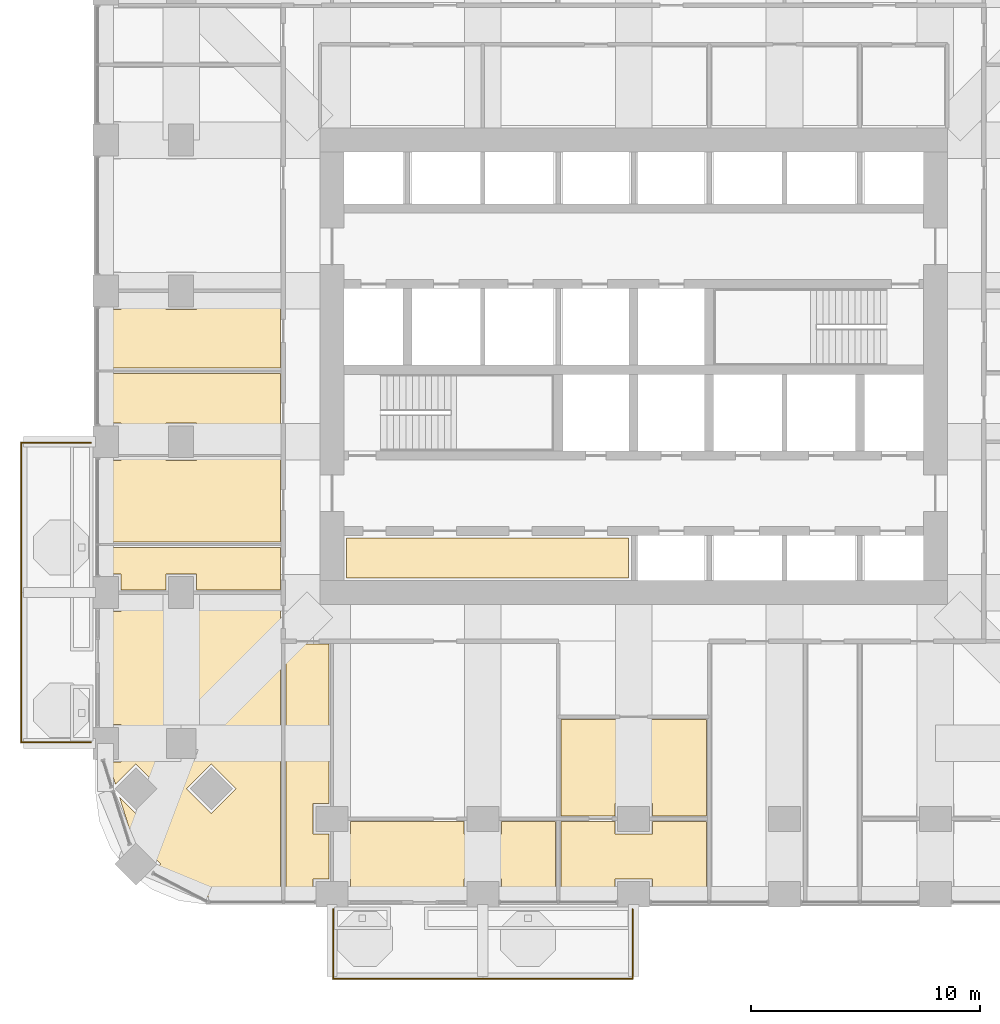
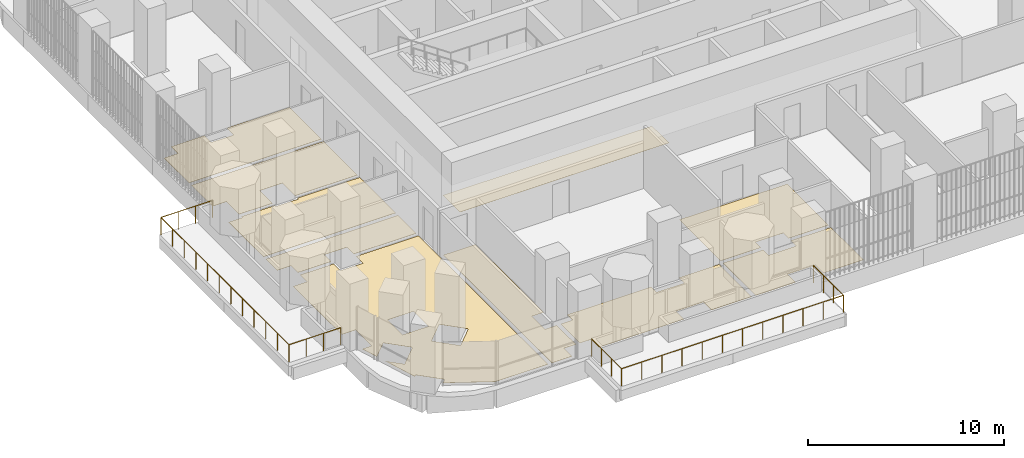
# One storey, part 17 of 21: 10 coverings, 2 railings.
"""IFC4 building model written with IfcOpenShell, lengths in metres."""

from ifc_helpers import new_model, si_unit, direction, frame, origin, place, context, subcontext, project, spatial, polyline, outline, extrude, material, layer, layer_set, type_object, element, save


model = new_model("IFC4")

# Units and contexts
model_context = context("Model", 3, precision=1e-05, world=origin(), true_north=direction((0.0, 1.0)))
body_context = subcontext(model_context, "Body", "Model", "MODEL_VIEW")
ifc_project = project(units=[si_unit("LENGTHUNIT", "METRE"), si_unit("AREAUNIT", "SQUARE_METRE"), si_unit("VOLUMEUNIT", "CUBIC_METRE"), si_unit("PLANEANGLEUNIT", "RADIAN"), si_unit("MASSUNIT", "GRAM", prefix="KILO")], contexts=[model_context])

# Site, building, storey
site_placement = place(None, origin())
site = spatial("IfcSite", under=ifc_project, at=site_placement, CompositionType="ELEMENT")
building_placement = place(site_placement, origin())
building = spatial("IfcBuilding", under=site, at=building_placement, Name="Cobogo Forest Laboratory Tower", CompositionType="ELEMENT")
storey_placement = place(building_placement, frame((0.0, 0.0, 132.60009765625)))
storey = spatial("IfcBuildingStorey", under=building, at=storey_placement, Name="L30", CompositionType="ELEMENT", Elevation=132.60009765625)

# Railings
ifc_material_1 = material(Name="Laminated glass balustrade", Category="glass")
railing_type = type_object("IfcRailingType", Name="BG1 glass balustrade 1100", PredefinedType="GUARDRAIL", material=ifc_material_1)
railing_1_placement = place(storey_placement, frame((13.25, -0.64990234375, 0.0)))
element("IfcRailing", 1, at=railing_1_placement, inside=storey, type_object=railing_type, Name="Balcony balustrade BAL-S1 L30", PredefinedType="GUARDRAIL", context=body_context, shape_type="SweptSolid", body=[
    extrude(outline(polyline([(0.022216796875, 0.00927734375), (0.00927734375, 0.022216796875), (-0.00927734375, 0.022216796875), (-0.022216796875, 0.00927734375), (-0.022216796875, -0.00927734375), (-0.00927734375, -0.022216796875), (0.00927734375, -0.022216796875), (0.022216796875, -0.00927734375), (0.022216796875, 0.00927734375)])), frame((0.0, 0.0, 1.077880859375), z_axis=(0.0, -1.0, 0.0), x_axis=(1.0, 0.0, 0.0)), (0.0, 0.0, 1.0), 3.050048828125),
    extrude(outline(polyline([(0.022216796875, 0.00927734375), (0.00927734375, 0.022216796875), (-0.00927734375, 0.022216796875), (-0.022216796875, 0.00927734375), (-0.022216796875, -0.00927734375), (-0.00927734375, -0.022216796875), (0.00927734375, -0.022216796875), (0.022216796875, -0.00927734375), (0.022216796875, 0.00927734375)])), frame((0.0, -3.050048828125, 1.077880859375), z_axis=(1.0, 0.0, 0.0), x_axis=(0.0, 1.0, 0.0)), (0.0, 0.0, 1.0), 13.10009765625),
    extrude(outline(polyline([(0.022216796875, 0.00927734375), (0.00927734375, 0.022216796875), (-0.00927734375, 0.022216796875), (-0.022216796875, 0.00927734375), (-0.022216796875, -0.00927734375), (-0.00927734375, -0.022216796875), (0.00927734375, -0.022216796875), (0.022216796875, -0.00927734375), (0.022216796875, 0.00927734375)])), frame((13.10009765625, -3.050048828125, 1.077880859375), z_axis=(0.0, 1.0, 0.0), x_axis=(-1.0, 0.0, 0.0)), (0.0, 0.0, 1.0), 3.050048828125),
    extrude(outline(polyline([(0.019287109375, 0.008056640625), (0.008056640625, 0.019287109375), (-0.008056640625, 0.019287109375), (-0.019287109375, 0.008056640625), (-0.019287109375, -0.008056640625), (-0.008056640625, -0.019287109375), (0.008056640625, -0.019287109375), (0.019287109375, -0.008056640625), (0.019287109375, 0.008056640625)])), origin(), (0.0, 0.0, 1.0), 1.077880859375),
    extrude(outline(polyline([(0.019287109375, 0.008056640625), (0.008056640625, 0.019287109375), (-0.008056640625, 0.019287109375), (-0.019287109375, 0.008056640625), (-0.019287109375, -0.008056640625), (-0.008056640625, -0.019287109375), (0.008056640625, -0.019287109375), (0.019287109375, -0.008056640625), (0.019287109375, 0.008056640625)])), frame((0.0, -1.0166015625, 0.0)), (0.0, 0.0, 1.0), 1.077880859375),
    extrude(outline(polyline([(0.019287109375, 0.008056640625), (0.008056640625, 0.019287109375), (-0.008056640625, 0.019287109375), (-0.019287109375, 0.008056640625), (-0.019287109375, -0.008056640625), (-0.008056640625, -0.019287109375), (0.008056640625, -0.019287109375), (0.019287109375, -0.008056640625), (0.019287109375, 0.008056640625)])), frame((0.0, -2.033447265625, 0.0)), (0.0, 0.0, 1.0), 1.077880859375),
    extrude(outline(polyline([(0.019287109375, 0.008056640625), (0.008056640625, 0.019287109375), (-0.008056640625, 0.019287109375), (-0.019287109375, 0.008056640625), (-0.019287109375, -0.008056640625), (-0.008056640625, -0.019287109375), (0.008056640625, -0.019287109375), (0.019287109375, -0.008056640625), (0.019287109375, 0.008056640625)])), frame((0.0, -3.050048828125, 0.0)), (0.0, 0.0, 1.0), 1.077880859375),
    extrude(outline(polyline([(0.019287109375, 0.008056640625), (0.008056640625, 0.019287109375), (-0.008056640625, 0.019287109375), (-0.019287109375, 0.008056640625), (-0.019287109375, -0.008056640625), (-0.008056640625, -0.019287109375), (0.008056640625, -0.019287109375), (0.019287109375, -0.008056640625), (0.019287109375, 0.008056640625)])), frame((1.19091796875, -3.050048828125, 0.0)), (0.0, 0.0, 1.0), 1.077880859375),
    extrude(outline(polyline([(0.019287109375, 0.008056640625), (0.008056640625, 0.019287109375), (-0.008056640625, 0.019287109375), (-0.019287109375, 0.008056640625), (-0.019287109375, -0.008056640625), (-0.008056640625, -0.019287109375), (0.008056640625, -0.019287109375), (0.019287109375, -0.008056640625), (0.019287109375, 0.008056640625)])), frame((2.3818359375, -3.050048828125, 0.0)), (0.0, 0.0, 1.0), 1.077880859375),
    extrude(outline(polyline([(0.019287109375, 0.008056640625), (0.008056640625, 0.019287109375), (-0.008056640625, 0.019287109375), (-0.019287109375, 0.008056640625), (-0.019287109375, -0.008056640625), (-0.008056640625, -0.019287109375), (0.008056640625, -0.019287109375), (0.019287109375, -0.008056640625), (0.019287109375, 0.008056640625)])), frame((3.57275390625, -3.050048828125, 0.0)), (0.0, 0.0, 1.0), 1.077880859375),
    extrude(outline(polyline([(0.019287109375, 0.008056640625), (0.008056640625, 0.019287109375), (-0.008056640625, 0.019287109375), (-0.019287109375, 0.008056640625), (-0.019287109375, -0.008056640625), (-0.008056640625, -0.019287109375), (0.008056640625, -0.019287109375), (0.019287109375, -0.008056640625), (0.019287109375, 0.008056640625)])), frame((4.763671875, -3.050048828125, 0.0)), (0.0, 0.0, 1.0), 1.077880859375),
    extrude(outline(polyline([(0.019287109375, 0.008056640625), (0.008056640625, 0.019287109375), (-0.008056640625, 0.019287109375), (-0.019287109375, 0.008056640625), (-0.019287109375, -0.008056640625), (-0.008056640625, -0.019287109375), (0.008056640625, -0.019287109375), (0.019287109375, -0.008056640625), (0.019287109375, 0.008056640625)])), frame((5.95458984375, -3.050048828125, 0.0)), (0.0, 0.0, 1.0), 1.077880859375),
    extrude(outline(polyline([(0.019287109375, 0.008056640625), (0.008056640625, 0.019287109375), (-0.008056640625, 0.019287109375), (-0.019287109375, 0.008056640625), (-0.019287109375, -0.008056640625), (-0.008056640625, -0.019287109375), (0.008056640625, -0.019287109375), (0.019287109375, -0.008056640625), (0.019287109375, 0.008056640625)])), frame((7.1455078125, -3.050048828125, 0.0)), (0.0, 0.0, 1.0), 1.077880859375),
    extrude(outline(polyline([(0.019287109375, 0.008056640625), (0.008056640625, 0.019287109375), (-0.008056640625, 0.019287109375), (-0.019287109375, 0.008056640625), (-0.019287109375, -0.008056640625), (-0.008056640625, -0.019287109375), (0.008056640625, -0.019287109375), (0.019287109375, -0.008056640625), (0.019287109375, 0.008056640625)])), frame((8.33642578125, -3.050048828125, 0.0)), (0.0, 0.0, 1.0), 1.077880859375),
    extrude(outline(polyline([(0.019287109375, 0.008056640625), (0.008056640625, 0.019287109375), (-0.008056640625, 0.019287109375), (-0.019287109375, 0.008056640625), (-0.019287109375, -0.008056640625), (-0.008056640625, -0.019287109375), (0.008056640625, -0.019287109375), (0.019287109375, -0.008056640625), (0.019287109375, 0.008056640625)])), frame((9.52734375, -3.050048828125, 0.0)), (0.0, 0.0, 1.0), 1.077880859375),
    extrude(outline(polyline([(0.019287109375, 0.008056640625), (0.008056640625, 0.019287109375), (-0.008056640625, 0.019287109375), (-0.019287109375, 0.008056640625), (-0.019287109375, -0.008056640625), (-0.008056640625, -0.019287109375), (0.008056640625, -0.019287109375), (0.019287109375, -0.008056640625), (0.019287109375, 0.008056640625)])), frame((10.71826171875, -3.050048828125, 0.0)), (0.0, 0.0, 1.0), 1.077880859375),
    extrude(outline(polyline([(0.019287109375, 0.008056640625), (0.008056640625, 0.019287109375), (-0.008056640625, 0.019287109375), (-0.019287109375, 0.008056640625), (-0.019287109375, -0.008056640625), (-0.008056640625, -0.019287109375), (0.008056640625, -0.019287109375), (0.019287109375, -0.008056640625), (0.019287109375, 0.008056640625)])), frame((11.9091796875, -3.050048828125, 0.0)), (0.0, 0.0, 1.0), 1.077880859375),
    extrude(outline(polyline([(0.019287109375, 0.008056640625), (0.008056640625, 0.019287109375), (-0.008056640625, 0.019287109375), (-0.019287109375, 0.008056640625), (-0.019287109375, -0.008056640625), (-0.008056640625, -0.019287109375), (0.008056640625, -0.019287109375), (0.019287109375, -0.008056640625), (0.019287109375, 0.008056640625)])), frame((13.10009765625, -3.050048828125, 0.0)), (0.0, 0.0, 1.0), 1.077880859375),
    extrude(outline(polyline([(0.019287109375, 0.008056640625), (0.008056640625, 0.019287109375), (-0.008056640625, 0.019287109375), (-0.019287109375, 0.008056640625), (-0.019287109375, -0.008056640625), (-0.008056640625, -0.019287109375), (0.008056640625, -0.019287109375), (0.019287109375, -0.008056640625), (0.019287109375, 0.008056640625)])), frame((13.10009765625, -2.033447265625, 0.0)), (0.0, 0.0, 1.0), 1.077880859375),
    extrude(outline(polyline([(0.019287109375, 0.008056640625), (0.008056640625, 0.019287109375), (-0.008056640625, 0.019287109375), (-0.019287109375, 0.008056640625), (-0.019287109375, -0.008056640625), (-0.008056640625, -0.019287109375), (0.008056640625, -0.019287109375), (0.019287109375, -0.008056640625), (0.019287109375, 0.008056640625)])), frame((13.10009765625, -1.0166015625, 0.0)), (0.0, 0.0, 1.0), 1.077880859375),
    extrude(outline(polyline([(0.019287109375, 0.008056640625), (0.008056640625, 0.019287109375), (-0.008056640625, 0.019287109375), (-0.019287109375, 0.008056640625), (-0.019287109375, -0.008056640625), (-0.008056640625, -0.019287109375), (0.008056640625, -0.019287109375), (0.019287109375, -0.008056640625), (0.019287109375, 0.008056640625)])), frame((13.10009765625, 0.0, 0.0)), (0.0, 0.0, 1.0), 1.077880859375),
])
railing_2_placement = place(storey_placement, frame((2.64990234375, 6.64990234375, 0.0)))
element("IfcRailing", 2, at=railing_2_placement, inside=storey, type_object=railing_type, Name="Balcony balustrade BAL-W1 L30", PredefinedType="GUARDRAIL", context=body_context, shape_type="SweptSolid", body=[
    extrude(outline(polyline([(0.022216796875, 0.00927734375), (0.00927734375, 0.022216796875), (-0.00927734375, 0.022216796875), (-0.022216796875, 0.00927734375), (-0.022216796875, -0.00927734375), (-0.00927734375, -0.022216796875), (0.00927734375, -0.022216796875), (0.022216796875, -0.00927734375), (0.022216796875, 0.00927734375)])), frame((0.0, 0.0, 1.077880859375), z_axis=(-1.0, 0.0, 0.0), x_axis=(0.0, -1.0, 0.0)), (0.0, 0.0, 1.0), 3.0498046875),
    extrude(outline(polyline([(0.022216796875, 0.00927734375), (0.00927734375, 0.022216796875), (-0.00927734375, 0.022216796875), (-0.022216796875, 0.00927734375), (-0.022216796875, -0.00927734375), (-0.00927734375, -0.022216796875), (0.00927734375, -0.022216796875), (0.022216796875, -0.00927734375), (0.022216796875, 0.00927734375)])), frame((-3.0498046875, 0.0, 1.077880859375), z_axis=(0.0, 1.0, 0.0), x_axis=(-1.0, 0.0, 0.0)), (0.0, 0.0, 1.0), 13.10009765625),
    extrude(outline(polyline([(0.022216796875, 0.00927734375), (0.00927734375, 0.022216796875), (-0.00927734375, 0.022216796875), (-0.022216796875, 0.00927734375), (-0.022216796875, -0.00927734375), (-0.00927734375, -0.022216796875), (0.00927734375, -0.022216796875), (0.022216796875, -0.00927734375), (0.022216796875, 0.00927734375)])), frame((-3.0498046875, 13.10009765625, 1.077880859375), z_axis=(1.0, 0.0, 0.0), x_axis=(0.0, 1.0, 0.0)), (0.0, 0.0, 1.0), 3.0498046875),
    extrude(outline(polyline([(0.019287109375, 0.008056640625), (0.008056640625, 0.019287109375), (-0.008056640625, 0.019287109375), (-0.019287109375, 0.008056640625), (-0.019287109375, -0.008056640625), (-0.008056640625, -0.019287109375), (0.008056640625, -0.019287109375), (0.019287109375, -0.008056640625), (0.019287109375, 0.008056640625)])), origin(), (0.0, 0.0, 1.0), 1.077880859375),
    extrude(outline(polyline([(0.019287109375, 0.008056640625), (0.008056640625, 0.019287109375), (-0.008056640625, 0.019287109375), (-0.019287109375, 0.008056640625), (-0.019287109375, -0.008056640625), (-0.008056640625, -0.019287109375), (0.008056640625, -0.019287109375), (0.019287109375, -0.008056640625), (0.019287109375, 0.008056640625)])), frame((-1.0166015625, 0.0, 0.0)), (0.0, 0.0, 1.0), 1.077880859375),
    extrude(outline(polyline([(0.019287109375, 0.008056640625), (0.008056640625, 0.019287109375), (-0.008056640625, 0.019287109375), (-0.019287109375, 0.008056640625), (-0.019287109375, -0.008056640625), (-0.008056640625, -0.019287109375), (0.008056640625, -0.019287109375), (0.019287109375, -0.008056640625), (0.019287109375, 0.008056640625)])), frame((-2.033203125, 0.0, 0.0)), (0.0, 0.0, 1.0), 1.077880859375),
    extrude(outline(polyline([(0.019287109375, 0.008056640625), (0.008056640625, 0.019287109375), (-0.008056640625, 0.019287109375), (-0.019287109375, 0.008056640625), (-0.019287109375, -0.008056640625), (-0.008056640625, -0.019287109375), (0.008056640625, -0.019287109375), (0.019287109375, -0.008056640625), (0.019287109375, 0.008056640625)])), frame((-3.0498046875, 0.0, 0.0)), (0.0, 0.0, 1.0), 1.077880859375),
    extrude(outline(polyline([(0.019287109375, 0.008056640625), (0.008056640625, 0.019287109375), (-0.008056640625, 0.019287109375), (-0.019287109375, 0.008056640625), (-0.019287109375, -0.008056640625), (-0.008056640625, -0.019287109375), (0.008056640625, -0.019287109375), (0.019287109375, -0.008056640625), (0.019287109375, 0.008056640625)])), frame((-3.0498046875, 1.19091796875, 0.0)), (0.0, 0.0, 1.0), 1.077880859375),
    extrude(outline(polyline([(0.019287109375, 0.008056640625), (0.008056640625, 0.019287109375), (-0.008056640625, 0.019287109375), (-0.019287109375, 0.008056640625), (-0.019287109375, -0.008056640625), (-0.008056640625, -0.019287109375), (0.008056640625, -0.019287109375), (0.019287109375, -0.008056640625), (0.019287109375, 0.008056640625)])), frame((-3.0498046875, 2.3818359375, 0.0)), (0.0, 0.0, 1.0), 1.077880859375),
    extrude(outline(polyline([(0.019287109375, 0.008056640625), (0.008056640625, 0.019287109375), (-0.008056640625, 0.019287109375), (-0.019287109375, 0.008056640625), (-0.019287109375, -0.008056640625), (-0.008056640625, -0.019287109375), (0.008056640625, -0.019287109375), (0.019287109375, -0.008056640625), (0.019287109375, 0.008056640625)])), frame((-3.0498046875, 3.57275390625, 0.0)), (0.0, 0.0, 1.0), 1.077880859375),
    extrude(outline(polyline([(0.019287109375, 0.008056640625), (0.008056640625, 0.019287109375), (-0.008056640625, 0.019287109375), (-0.019287109375, 0.008056640625), (-0.019287109375, -0.008056640625), (-0.008056640625, -0.019287109375), (0.008056640625, -0.019287109375), (0.019287109375, -0.008056640625), (0.019287109375, 0.008056640625)])), frame((-3.0498046875, 4.763671875, 0.0)), (0.0, 0.0, 1.0), 1.077880859375),
    extrude(outline(polyline([(0.019287109375, 0.008056640625), (0.008056640625, 0.019287109375), (-0.008056640625, 0.019287109375), (-0.019287109375, 0.008056640625), (-0.019287109375, -0.008056640625), (-0.008056640625, -0.019287109375), (0.008056640625, -0.019287109375), (0.019287109375, -0.008056640625), (0.019287109375, 0.008056640625)])), frame((-3.0498046875, 5.95458984375, 0.0)), (0.0, 0.0, 1.0), 1.077880859375),
    extrude(outline(polyline([(0.019287109375, 0.008056640625), (0.008056640625, 0.019287109375), (-0.008056640625, 0.019287109375), (-0.019287109375, 0.008056640625), (-0.019287109375, -0.008056640625), (-0.008056640625, -0.019287109375), (0.008056640625, -0.019287109375), (0.019287109375, -0.008056640625), (0.019287109375, 0.008056640625)])), frame((-3.0498046875, 7.1455078125, 0.0)), (0.0, 0.0, 1.0), 1.077880859375),
    extrude(outline(polyline([(0.019287109375, 0.008056640625), (0.008056640625, 0.019287109375), (-0.008056640625, 0.019287109375), (-0.019287109375, 0.008056640625), (-0.019287109375, -0.008056640625), (-0.008056640625, -0.019287109375), (0.008056640625, -0.019287109375), (0.019287109375, -0.008056640625), (0.019287109375, 0.008056640625)])), frame((-3.0498046875, 8.33642578125, 0.0)), (0.0, 0.0, 1.0), 1.077880859375),
    extrude(outline(polyline([(0.019287109375, 0.008056640625), (0.008056640625, 0.019287109375), (-0.008056640625, 0.019287109375), (-0.019287109375, 0.008056640625), (-0.019287109375, -0.008056640625), (-0.008056640625, -0.019287109375), (0.008056640625, -0.019287109375), (0.019287109375, -0.008056640625), (0.019287109375, 0.008056640625)])), frame((-3.0498046875, 9.52734375, 0.0)), (0.0, 0.0, 1.0), 1.077880859375),
    extrude(outline(polyline([(0.019287109375, 0.008056640625), (0.008056640625, 0.019287109375), (-0.008056640625, 0.019287109375), (-0.019287109375, 0.008056640625), (-0.019287109375, -0.008056640625), (-0.008056640625, -0.019287109375), (0.008056640625, -0.019287109375), (0.019287109375, -0.008056640625), (0.019287109375, 0.008056640625)])), frame((-3.0498046875, 10.71826171875, 0.0)), (0.0, 0.0, 1.0), 1.077880859375),
    extrude(outline(polyline([(0.019287109375, 0.008056640625), (0.008056640625, 0.019287109375), (-0.008056640625, 0.019287109375), (-0.019287109375, 0.008056640625), (-0.019287109375, -0.008056640625), (-0.008056640625, -0.019287109375), (0.008056640625, -0.019287109375), (0.019287109375, -0.008056640625), (0.019287109375, 0.008056640625)])), frame((-3.0498046875, 11.9091796875, 0.0)), (0.0, 0.0, 1.0), 1.077880859375),
    extrude(outline(polyline([(0.019287109375, 0.008056640625), (0.008056640625, 0.019287109375), (-0.008056640625, 0.019287109375), (-0.019287109375, 0.008056640625), (-0.019287109375, -0.008056640625), (-0.008056640625, -0.019287109375), (0.008056640625, -0.019287109375), (0.019287109375, -0.008056640625), (0.019287109375, 0.008056640625)])), frame((-3.0498046875, 13.10009765625, 0.0)), (0.0, 0.0, 1.0), 1.077880859375),
    extrude(outline(polyline([(0.019287109375, 0.008056640625), (0.008056640625, 0.019287109375), (-0.008056640625, 0.019287109375), (-0.019287109375, 0.008056640625), (-0.019287109375, -0.008056640625), (-0.008056640625, -0.019287109375), (0.008056640625, -0.019287109375), (0.019287109375, -0.008056640625), (0.019287109375, 0.008056640625)])), frame((-2.033203125, 13.10009765625, 0.0)), (0.0, 0.0, 1.0), 1.077880859375),
    extrude(outline(polyline([(0.019287109375, 0.008056640625), (0.008056640625, 0.019287109375), (-0.008056640625, 0.019287109375), (-0.019287109375, 0.008056640625), (-0.019287109375, -0.008056640625), (-0.008056640625, -0.019287109375), (0.008056640625, -0.019287109375), (0.019287109375, -0.008056640625), (0.019287109375, 0.008056640625)])), frame((-1.0166015625, 13.10009765625, 0.0)), (0.0, 0.0, 1.0), 1.077880859375),
    extrude(outline(polyline([(0.019287109375, 0.008056640625), (0.008056640625, 0.019287109375), (-0.008056640625, 0.019287109375), (-0.019287109375, 0.008056640625), (-0.019287109375, -0.008056640625), (-0.008056640625, -0.019287109375), (0.008056640625, -0.019287109375), (0.019287109375, -0.008056640625), (0.019287109375, 0.008056640625)])), frame((0.0, 13.10009765625, 0.0)), (0.0, 0.0, 1.0), 1.077880859375),
])

# Coverings
ifc_material_2 = material(Name="Carpet tile on raised access floor", Category="flooring")
ifc_layer_1 = layer(ifc_material_2, 0.008056640625)
ifc_layer_set_1 = layer_set([ifc_layer_1], Name="CT1 carpet tile floor 8")
covering_type_1 = type_object("IfcCoveringType", Name="CT1 carpet tile floor 8", PredefinedType="FLOORING", material=ifc_layer_set_1)
covering_1_placement = place(storey_placement, origin())
element("IfcCovering", 3, at=covering_1_placement, inside=storey, type_object=covering_type_1, Name="Carpet floor L30-05", PredefinedType="FLOORING", context=body_context, shape_type="SweptSolid", body=[
    extrude(outline(polyline([(13.080078125, 10.955078125), (13.080078125, 3.969970703125), (12.3798828125, 3.969970703125), (12.3798828125, 2.6298828125), (13.080078125, 2.6298828125), (13.080078125, 0.669921875), (12.3798828125, 0.669921875), (12.3798828125, -0.14990234375), (11.195068359375, -0.14990234375), (11.195068359375, 10.955078125), (13.080078125, 10.955078125)])), origin(), (0.0, 0.0, 1.0), 0.0078125),
])
covering_2_placement = place(storey_placement, origin())
element("IfcCovering", 4, at=covering_2_placement, inside=storey, type_object=covering_type_1, Name="Carpet floor L30-07", PredefinedType="FLOORING", context=body_context, shape_type="SweptSolid", body=[
    extrude(outline(polyline([(18.97998046875, 3.179931640625), (18.97998046875, 2.6298828125), (20.6201171875, 2.6298828125), (20.6201171875, 3.179931640625), (22.97998046875, 3.179931640625), (22.97998046875, -0.14990234375), (20.6201171875, -0.14990234375), (20.6201171875, 0.669921875), (18.97998046875, 0.669921875), (18.97998046875, -0.14990234375), (14.02001953125, -0.14990234375), (14.02001953125, 0.669921875), (13.320068359375, 0.669921875), (13.320068359375, 2.6298828125), (14.02001953125, 2.6298828125), (14.02001953125, 3.179931640625), (18.97998046875, 3.179931640625)])), origin(), (0.0, 0.0, 1.0), 0.0078125),
])
covering_3_placement = place(storey_placement, origin())
element("IfcCovering", 5, at=covering_3_placement, inside=storey, type_object=covering_type_1, Name="Carpet floor L30-09", PredefinedType="FLOORING", context=body_context, shape_type="SweptSolid", body=[
    extrude(outline(polyline([(25.580078125, 3.179931640625), (25.580078125, 2.6298828125), (27.219970703125, 2.6298828125), (27.219970703125, 3.179931640625), (29.580078125, 3.179931640625), (29.580078125, -0.14990234375), (27.219970703125, -0.14990234375), (27.219970703125, 0.669921875), (25.580078125, 0.669921875), (25.580078125, -0.14990234375), (23.219970703125, -0.14990234375), (23.219970703125, 3.179931640625), (25.580078125, 3.179931640625)])), origin(), (0.0, 0.0, 1.0), 0.0078125),
])
covering_4_placement = place(storey_placement, origin())
element("IfcCovering", 6, at=covering_4_placement, inside=storey, type_object=covering_type_1, Name="Carpet floor L30-23", PredefinedType="FLOORING", context=body_context, shape_type="SweptSolid", body=[
    extrude(outline(polyline([(3.904052734375, 4.2431640625), (4.617919921875, 3.529052734375), (5.70703125, 4.617919921875), (4.617919921875, 5.70703125), (3.72412109375, 4.81298828125), (3.418701171875, 5.780029296875), (3.969970703125, 5.780029296875), (3.969970703125, 7.419921875), (3.14990234375, 7.419921875), (3.14990234375, 12.3798828125), (3.969970703125, 12.3798828125), (3.969970703125, 13.080078125), (5.929931640625, 13.080078125), (5.929931640625, 12.3798828125), (7.27001953125, 12.3798828125), (7.27001953125, 13.080078125), (10.955078125, 13.080078125), (10.955078125, -0.14990234375), (7.84912109375, -0.14990234375), (5.480712890625, 1.091552734375), (5.70703125, 1.318115234375), (4.617919921875, 2.406982421875), (4.51611328125, 2.304931640625), (3.904052734375, 4.2431640625)]), holes=[polyline([(6.8291015625, 4.617919921875), (7.91796875, 3.529052734375), (9.007080078125, 4.617919921875), (7.91796875, 5.70703125), (6.8291015625, 4.617919921875)]), polyline([(5.830078125, 7.3701171875), (5.830078125, 5.830078125), (7.3701171875, 5.830078125), (7.3701171875, 7.3701171875), (5.830078125, 7.3701171875)])]), origin(), (0.0, 0.0, 1.0), 0.0078125),
])
covering_5_placement = place(storey_placement, origin())
element("IfcCovering", 7, at=covering_5_placement, inside=storey, type_object=covering_type_1, Name="Carpet floor L30-37", PredefinedType="FLOORING", context=body_context, shape_type="SweptSolid", body=[
    extrude(outline(polyline([(26.179931640625, 13.844970703125), (13.844970703125, 13.844970703125), (13.844970703125, 15.580078125), (26.179931640625, 15.580078125), (26.179931640625, 13.844970703125)])), origin(), (0.0, 0.0, 1.0), 0.0078125),
])
ifc_material_3 = material(Name="Epoxy resin flooring", Category="flooring")
ifc_layer_2 = layer(ifc_material_3, 0.00390625)
ifc_layer_set_2 = layer_set([ifc_layer_2], Name="LF1 epoxy laboratory floor 4")
covering_type_2 = type_object("IfcCoveringType", Name="LF1 epoxy laboratory floor 4", PredefinedType="FLOORING", material=ifc_layer_set_2)
covering_6_placement = place(storey_placement, origin())
element("IfcCovering", 8, at=covering_6_placement, inside=storey, type_object=covering_type_2, Name="Epoxy laboratory floor L30-08", PredefinedType="FLOORING", context=body_context, shape_type="SweptSolid", body=[
    extrude(outline(polyline([(23.219970703125, 7.655029296875), (29.580078125, 7.655029296875), (29.580078125, 3.419921875), (27.219970703125, 3.419921875), (27.219970703125, 3.969970703125), (25.580078125, 3.969970703125), (25.580078125, 3.419921875), (23.219970703125, 3.419921875), (23.219970703125, 7.655029296875)])), origin(), (0.0, 0.0, 1.0), 0.00390625),
])
ifc_material_4 = material(Name="Ceramic floor tile", Category="flooring")
ifc_layer_3 = layer(ifc_material_4, 0.010009765625)
ifc_layer_set_3 = layer_set([ifc_layer_3], Name="TF1 ceramic tile floor 10")
covering_type_3 = type_object("IfcCoveringType", Name="TF1 ceramic tile floor 10", PredefinedType="FLOORING", material=ifc_layer_set_3)
covering_7_placement = place(storey_placement, origin())
element("IfcCovering", 9, at=covering_7_placement, inside=storey, type_object=covering_type_3, Name="Tile floor L30-24", PredefinedType="FLOORING", context=body_context, shape_type="SweptSolid", body=[
    extrude(outline(polyline([(10.955078125, 13.320068359375), (7.27001953125, 13.320068359375), (7.27001953125, 14.02001953125), (5.929931640625, 14.02001953125), (5.929931640625, 13.320068359375), (3.969970703125, 13.320068359375), (3.969970703125, 14.02001953125), (3.14990234375, 14.02001953125), (3.14990234375, 15.179931640625), (10.955078125, 15.179931640625), (10.955078125, 13.320068359375)])), origin(), (0.0, 0.0, 1.0), 0.010009765625),
])
covering_8_placement = place(storey_placement, origin())
element("IfcCovering", 10, at=covering_8_placement, inside=storey, type_object=covering_type_3, Name="Tile floor L30-25", PredefinedType="FLOORING", context=body_context, shape_type="SweptSolid", body=[
    extrude(outline(polyline([(3.969970703125, 19.080078125), (5.929931640625, 19.080078125), (5.929931640625, 18.97998046875), (7.27001953125, 18.97998046875), (7.27001953125, 19.080078125), (10.955078125, 19.080078125), (10.955078125, 15.419921875), (3.14990234375, 15.419921875), (3.14990234375, 18.97998046875), (3.969970703125, 18.97998046875), (3.969970703125, 19.080078125)])), origin(), (0.0, 0.0, 1.0), 0.010009765625),
])
covering_9_placement = place(storey_placement, origin())
element("IfcCovering", 11, at=covering_9_placement, inside=storey, type_object=covering_type_3, Name="Tile floor L30-26", PredefinedType="FLOORING", context=body_context, shape_type="SweptSolid", body=[
    extrude(outline(polyline([(10.955078125, 19.320068359375), (7.27001953125, 19.320068359375), (7.27001953125, 20.6201171875), (5.929931640625, 20.6201171875), (5.929931640625, 19.320068359375), (3.969970703125, 19.320068359375), (3.969970703125, 20.6201171875), (3.14990234375, 20.6201171875), (3.14990234375, 22.780029296875), (10.955078125, 22.780029296875), (10.955078125, 19.320068359375)])), origin(), (0.0, 0.0, 1.0), 0.010009765625),
])
covering_10_placement = place(storey_placement, origin())
element("IfcCovering", 12, at=covering_10_placement, inside=storey, type_object=covering_type_3, Name="Tile floor L30-27", PredefinedType="FLOORING", context=body_context, shape_type="SweptSolid", body=[
    extrude(outline(polyline([(10.955078125, 23.02001953125), (3.14990234375, 23.02001953125), (3.14990234375, 25.580078125), (3.969970703125, 25.580078125), (3.969970703125, 26.280029296875), (5.929931640625, 26.280029296875), (5.929931640625, 25.580078125), (7.27001953125, 25.580078125), (7.27001953125, 26.280029296875), (10.955078125, 26.280029296875), (10.955078125, 23.02001953125)])), origin(), (0.0, 0.0, 1.0), 0.010009765625),
])

save(model, "model.ifc")
